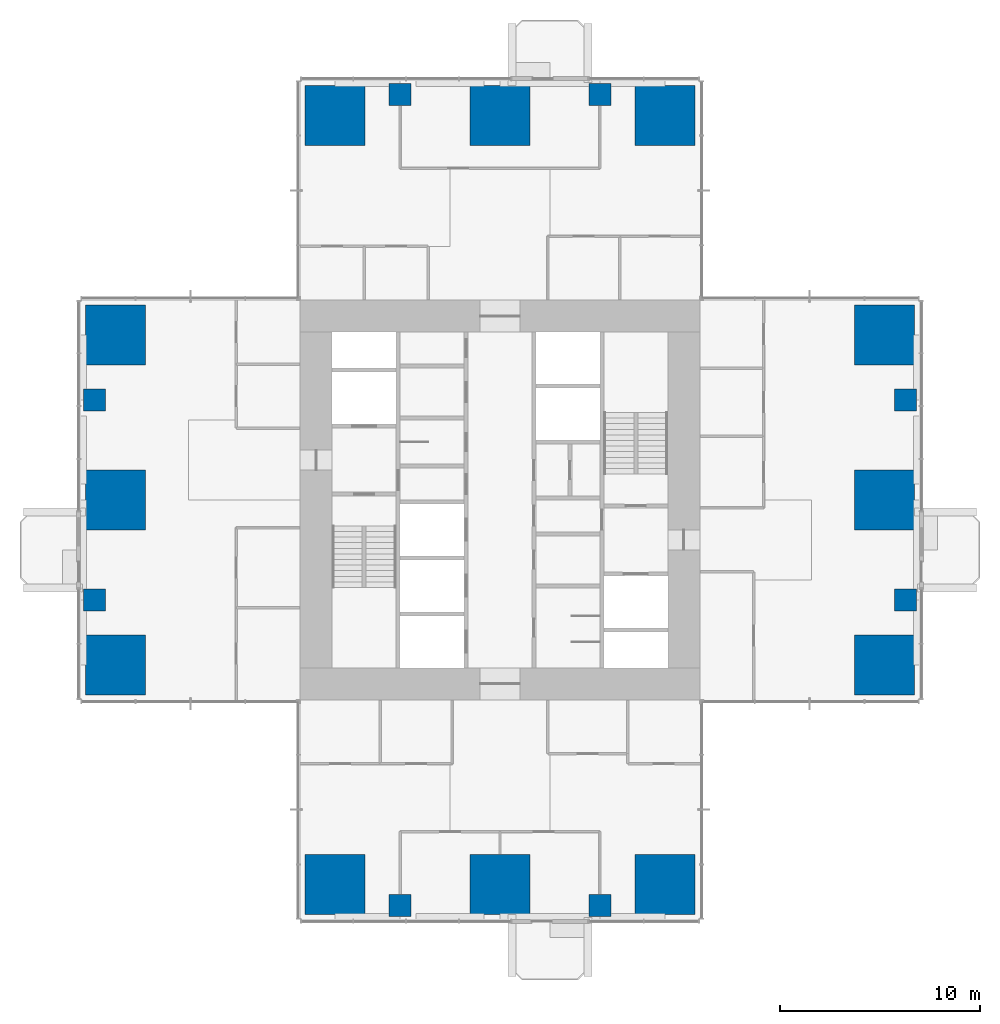
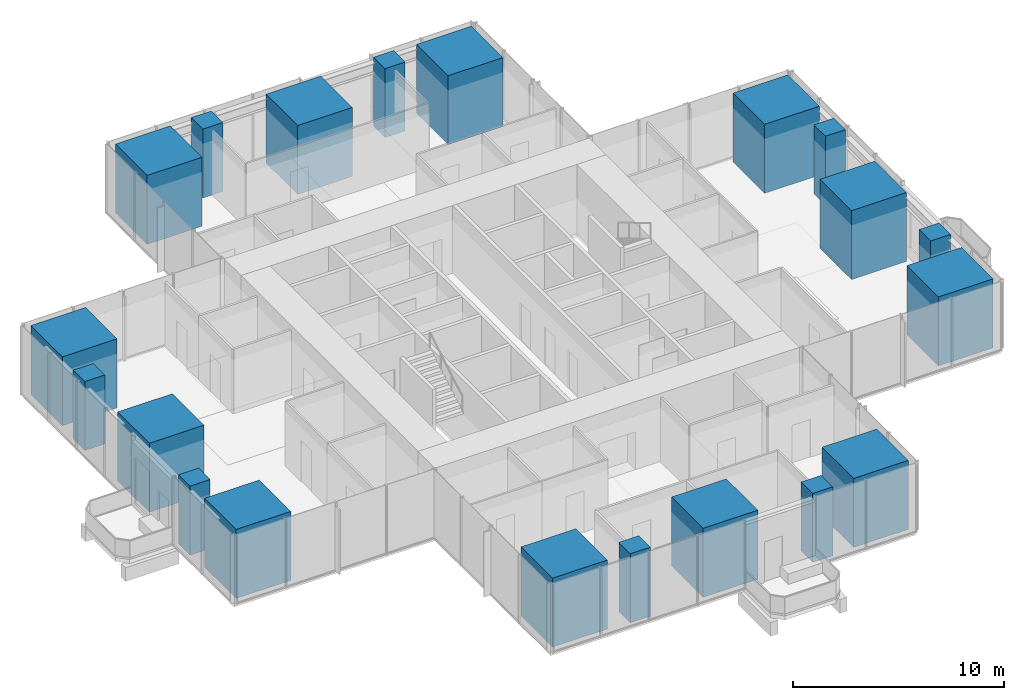
# One storey, part 1 of 13: 20 columns.
"""IFC4 building model written with IfcOpenShell, lengths in metres."""

import ifcopenshell
import ifcopenshell.guid

model = None  # the IFC model being written
_history = None  # IfcOwnerHistory: only IFC2X3 demands one
_inside = {}  # id of a spatial element -> (the spatial element, [elements in it])
_under = {}  # id of a project, library or spatial element -> (it, [spatial elements below it])
_declared = {}  # id of a project -> (the project, [libraries it declares])
_typed = {}  # id of a type object -> (the type object, [elements of that type])
_made_of = {}  # id of a material, layer set ... -> (it, [elements and type objects made of it])


def new_model(schema):
    """Start an empty IFC model of exactly this schema.

    Asked for "IFC4X3", IfcOpenShell would pick the latest addendum, in which some entities
    have other attributes; the version numbers below select the first issue.
    IFC2X3 requires an IfcOwnerHistory on every rooted entity: one is made here for all.
    """
    global model, _history
    if schema == "IFC4X3":
        model = ifcopenshell.file(schema_version=(4, 3, 0, 0))
    else:
        model = ifcopenshell.file(schema=schema)
    _inside.clear()
    _under.clear()
    _declared.clear()
    _typed.clear()
    _made_of.clear()
    _history = None
    if model.schema == "IFC2X3":
        org = make("IfcOrganization", Name="unknown")
        user = make(
            "IfcPersonAndOrganization",
            ThePerson=make("IfcPerson", FamilyName="unknown"),
            TheOrganization=org,
        )
        app = make(
            "IfcApplication",
            ApplicationDeveloper=org,
            Version="unknown",
            ApplicationFullName="unknown",
            ApplicationIdentifier="unknown",
        )
        _history = make(
            "IfcOwnerHistory",
            OwningUser=user,
            OwningApplication=app,
            ChangeAction="ADDED",
            CreationDate=0,
        )
    return model


def make(cls, **values):
    """One entity of the class cls with the attributes given. An attribute that is None is left unset."""
    return model.create_entity(
        cls, **{name: value for name, value in values.items() if value is not None}
    )


def rooted(cls, **values):
    """An entity with a GlobalId (a new one), such as an element, a storey or a relation."""
    return make(cls, GlobalId=ifcopenshell.guid.new(), OwnerHistory=_history, **values)


def si_unit(unit_type, name, prefix=None):
    """IfcSIUnit, for example si_unit("LENGTHUNIT", "METRE", prefix="MILLI")."""
    return make("IfcSIUnit", UnitType=unit_type, Prefix=prefix, Name=name)


def assignment(units):
    """IfcUnitAssignment: the units of a project."""
    return None if units is None else make("IfcUnitAssignment", Units=units)


def point(xyz):
    """IfcCartesianPoint."""
    return None if xyz is None else make("IfcCartesianPoint", Coordinates=xyz)


def direction(xyz):
    """IfcDirection."""
    return None if xyz is None else make("IfcDirection", DirectionRatios=xyz)


def frame(location, z_axis=None, x_axis=None):
    """IfcAxis2Placement3D, a coordinate frame: its origin and axes. An axis left out is left unset."""
    return make(
        "IfcAxis2Placement3D",
        Location=point(location),
        Axis=direction(z_axis),
        RefDirection=direction(x_axis),
    )


def frame_2d(location, x_axis=None):
    """IfcAxis2Placement2D, a coordinate frame in the plane: its origin and x axis."""
    return make(
        "IfcAxis2Placement2D", Location=point(location), RefDirection=direction(x_axis)
    )


def origin():
    """The frame at (0, 0, 0) with its axes left unset."""
    return frame((0.0, 0.0, 0.0))


def origin_2d():
    """The frame at (0, 0) in the plane with its x axis left unset."""
    return frame_2d((0.0, 0.0))


def place(relative_to, where):
    """IfcLocalPlacement: puts the frame where relative to a parent placement (None: the world)."""
    return make(
        "IfcLocalPlacement", PlacementRelTo=relative_to, RelativePlacement=where
    )


def context(
    kind, dimensions, precision=None, world=None, true_north=None, identifier=None
):
    """IfcGeometricRepresentationContext, for example the 3D "Model" context."""
    return make(
        "IfcGeometricRepresentationContext",
        ContextIdentifier=identifier,
        ContextType=kind,
        CoordinateSpaceDimension=dimensions,
        Precision=precision,
        WorldCoordinateSystem=world,
        TrueNorth=true_north,
    )


def subcontext(parent, identifier, kind, view, scale=None):
    """IfcGeometricRepresentationSubContext, for example "Body" below "Model"."""
    return make(
        "IfcGeometricRepresentationSubContext",
        ContextIdentifier=identifier,
        ContextType=kind,
        ParentContext=parent,
        TargetScale=scale,
        TargetView=view,
    )


def project(units=None, contexts=None):
    """IfcProject with its units and contexts."""
    return rooted(
        "IfcProject",
        Name="project",
        RepresentationContexts=contexts,
        UnitsInContext=assignment(units),
    )


def spatial(cls, under=None, at=None, **own):
    """A site, building, storey or space (cls), placed at a placement, below another one or the project."""
    s = rooted(cls, ObjectPlacement=at, **own)
    if under is not None:
        _under.setdefault(under.id(), (under, []))[1].append(s)
    return s


def profile(cls, at=None, kind="AREA", **sizes):
    """A parametric profile (cls). Its sizes go by their IFC names, for example OverallWidth=200.0."""
    return make(cls, ProfileType=kind, Position=at, **sizes)


def rectangle(**sizes):
    """IfcRectangleProfileDef."""
    return profile("IfcRectangleProfileDef", **sizes)


def extrude(swept, where, along, depth):
    """IfcExtrudedAreaSolid: the profile swept, set in the frame where, extruded along a direction by depth."""
    return make(
        "IfcExtrudedAreaSolid",
        SweptArea=swept,
        Position=where,
        ExtrudedDirection=direction(along),
        Depth=depth,
    )


def shape(context_of_items, identifier, shape_type, items):
    """IfcShapeRepresentation: the items that make up one representation, for example the "Body"."""
    return make(
        "IfcShapeRepresentation",
        ContextOfItems=context_of_items,
        RepresentationIdentifier=identifier,
        RepresentationType=shape_type,
        Items=items,
    )


def material(Name=None, Category=None):
    """IfcMaterial."""
    return make("IfcMaterial", Name=Name, Category=Category)


def material_profile(
    of_material, cross_section, Name=None, Category=None, Priority=None
):
    """IfcMaterialProfile: a cross section and its material."""
    return make(
        "IfcMaterialProfile",
        Name=Name,
        Material=of_material,
        Profile=cross_section,
        Priority=Priority,
        Category=Category,
    )


def profile_set(profiles, Name=None, composite=None):
    """IfcMaterialProfileSet."""
    return make(
        "IfcMaterialProfileSet",
        Name=Name,
        MaterialProfiles=profiles,
        CompositeProfile=composite,
    )


def made_of(thing, what):
    """Note that an element or type object is made of a material, layer set ...; save() writes the relation."""
    if what is not None:
        _made_of.setdefault(what.id(), (what, []))[1].append(thing)
    return thing


def type_object(cls, material=None, **own):
    """A type object (cls), such as IfcWallType, which elements share."""
    return made_of(rooted(cls, **own), material)


def element(
    cls,
    number,
    at=None,
    inside=None,
    cuts=None,
    type_object=None,
    material=None,
    context=None,
    identifier="Body",
    shape_type=None,
    held_by="IfcProductDefinitionShape",
    body=None,
    shapes=None,
    **own,
):
    """One element of the class cls, such as IfcWall. Its Tag is "e" and its number.

    at: its placement. inside: the storey or other place that contains it. cuts: it is an
    opening in that element (IfcRelVoidsElement). A single representation is given by context,
    identifier, shape_type and body (its items); several are given by shapes. held_by: the class
    of the entity that holds the representations. save() writes the other relations.
    """
    e = rooted(cls, Tag="e%d" % number, ObjectPlacement=at, **own)
    if body is not None:
        shapes = [shape(context, identifier, shape_type, body)]
    if shapes is not None:
        e.Representation = make(held_by, Representations=shapes)
    if inside is not None:
        _inside.setdefault(inside.id(), (inside, []))[1].append(e)
    if cuts is not None:
        rooted(
            "IfcRelVoidsElement", RelatingBuildingElement=cuts, RelatedOpeningElement=e
        )
    if type_object is not None:
        _typed.setdefault(type_object.id(), (type_object, []))[1].append(e)
    return made_of(e, material)


def aggregate(whole, parts):
    """IfcRelAggregates: a whole, such as a stair, and the parts it consists of."""
    return rooted("IfcRelAggregates", RelatingObject=whole, RelatedObjects=parts)


def save(model, path):
    """Write the relations noted so far, then the file.

    IfcRelAggregates (storeys below a building ...), IfcRelContainedInSpatialStructure (elements
    in a storey), IfcRelDefinesByType, IfcRelAssociatesMaterial and IfcRelDeclares: one each for
    every whole, place, type object, material and project.
    """
    for whole, parts in _under.values():
        aggregate(whole, parts)
    for where, things in _inside.values():
        rooted(
            "IfcRelContainedInSpatialStructure",
            RelatedElements=things,
            RelatingStructure=where,
        )
    for kind, things in _typed.values():
        rooted("IfcRelDefinesByType", RelatedObjects=things, RelatingType=kind)
    for what, things in _made_of.values():
        rooted("IfcRelAssociatesMaterial", RelatedObjects=things, RelatingMaterial=what)
    for by, libraries in _declared.values():
        rooted("IfcRelDeclares", RelatingContext=by, RelatedDefinitions=libraries)
    model.write(path)


model = new_model("IFC4")

# Units and contexts
model_context = context("Model", 3, precision=1e-05, world=origin(), true_north=direction((0.0, 1.0)))
body_context = subcontext(model_context, "Body", "Model", "MODEL_VIEW")
ifc_project = project(units=[si_unit("LENGTHUNIT", "METRE"), si_unit("AREAUNIT", "SQUARE_METRE"), si_unit("VOLUMEUNIT", "CUBIC_METRE"), si_unit("PLANEANGLEUNIT", "RADIAN"), si_unit("MASSUNIT", "GRAM", prefix="KILO")], contexts=[model_context])

# Site, building, storey
site_placement = place(None, origin())
site = spatial("IfcSite", under=ifc_project, at=site_placement, CompositionType="ELEMENT")
building_placement = place(site_placement, origin())
building = spatial("IfcBuilding", under=site, at=building_placement, Name="Svetlomir Tower", CompositionType="ELEMENT")
storey_placement = place(building_placement, frame((0.0, 0.0, 128.5)))
storey = spatial("IfcBuildingStorey", under=building, at=storey_placement, Name="L30", CompositionType="ELEMENT", Elevation=128.5)

# Columns
ifc_material_1 = material(Name="Concrete C60/75", Category="concrete")
ifc_material_profile_1 = material_profile(ifc_material_1, rectangle(XDim=1.10009765625, YDim=1.10009765625, at=origin_2d()), Name="RC 1100x1100")
ifc_profile_set_1 = profile_set([ifc_material_profile_1], Name="Concrete C60/75")
column_type_1 = type_object("IfcColumnType", Name="COLUMN RC 1100x1100", PredefinedType="COLUMN", material=ifc_profile_set_1)
for number, where, z_axis, x_axis, name in (
    (1, (16.0, 0.699951171875, 0.0), (0.0, 0.0, 1.0), (1.0, 0.0, 0.0), "Column 16/0 L30"),
    (2, (26.0, 0.699951171875, 0.0), (0.0, 0.0, 1.0), (1.0, 0.0, 0.0), "Column 26/0 L30"),
    (3, (0.699951171875, 16.0, 0.0), (0.0, 0.0, 1.0), (1.0, 0.0, 0.0), "Column 0/16 L30"),
    (4, (41.300048828125, 16.0, 0.0), (0.0, 0.0, 1.0), (1.0, 0.0, 0.0), "Column 42/16 L30"),
    (5, (0.699951171875, 26.0, 0.0), (0.0, 0.0, 1.0), (1.0, 0.0, 0.0), "Column 0/26 L30"),
    (6, (41.300048828125, 26.0, 0.0), (0.0, 0.0, 1.0), (1.0, 0.0, 0.0), "Column 42/26 L30"),
    (7, (16.0, 41.300048828125, 0.0), (0.0, 0.0, 1.0), (1.0, 0.0, 0.0), "Column 16/42 L30"),
    (8, (26.0, 41.300048828125, 0.0), (0.0, 0.0, 1.0), (1.0, 0.0, 0.0), "Column 26/42 L30"),
):
    element("IfcColumn", number, at=place(storey_placement, frame(where, z_axis=z_axis, x_axis=x_axis)), inside=storey, type_object=column_type_1, Name=name, PredefinedType="COLUMN", context=body_context, shape_type="SweptSolid", body=[
        extrude(rectangle(XDim=1.10009765625, YDim=1.10009765625, at=origin_2d()), origin(), (0.0, 0.0, 1.0), 4.0),
    ])
ifc_material_2 = material(Name="Concrete C60/75", Category="concrete")
ifc_material_profile_2 = material_profile(ifc_material_2, rectangle(XDim=3.0, YDim=3.0, at=origin_2d()), Name="RC 3000x3000")
ifc_profile_set_2 = profile_set([ifc_material_profile_2], Name="Concrete C60/75")
column_type_2 = type_object("IfcColumnType", Name="COLUMN RC 3000x3000", PredefinedType="COLUMN", material=ifc_profile_set_2)
for number, where, z_axis, x_axis, name in (
    (9, (12.75, 1.75, 0.0), (0.0, 0.0, 1.0), (1.0, 0.0, 0.0), "Column 11/0 L30"),
    (10, (21.0, 1.75, 0.0), (0.0, 0.0, 1.0), (1.0, 0.0, 0.0), "Column 21/0 L30"),
    (11, (29.25, 1.75, 0.0), (0.0, 0.0, 1.0), (1.0, 0.0, 0.0), "Column 31/0 L30"),
    (12, (1.75, 12.75, 0.0), (0.0, 0.0, 1.0), (1.0, 0.0, 0.0), "Column 0/11 L30"),
    (13, (40.25, 12.75, 0.0), (0.0, 0.0, 1.0), (1.0, 0.0, 0.0), "Column 42/11 L30"),
    (14, (1.75, 21.0, 0.0), (0.0, 0.0, 1.0), (1.0, 0.0, 0.0), "Column 0/21 L30"),
    (15, (40.25, 21.0, 0.0), (0.0, 0.0, 1.0), (1.0, 0.0, 0.0), "Column 42/21 L30"),
    (16, (1.75, 29.25, 0.0), (0.0, 0.0, 1.0), (1.0, 0.0, 0.0), "Column 0/31 L30"),
    (17, (40.25, 29.25, 0.0), (0.0, 0.0, 1.0), (1.0, 0.0, 0.0), "Column 42/31 L30"),
    (18, (12.75, 40.25, 0.0), (0.0, 0.0, 1.0), (1.0, 0.0, 0.0), "Column 11/42 L30"),
    (19, (21.0, 40.25, 0.0), (0.0, 0.0, 1.0), (1.0, 0.0, 0.0), "Column 21/42 L30"),
    (20, (29.25, 40.25, 0.0), (0.0, 0.0, 1.0), (1.0, 0.0, 0.0), "Column 31/42 L30"),
):
    element("IfcColumn", number, at=place(storey_placement, frame(where, z_axis=z_axis, x_axis=x_axis)), inside=storey, type_object=column_type_2, Name=name, PredefinedType="COLUMN", context=body_context, shape_type="SweptSolid", body=[
        extrude(rectangle(XDim=3.0, YDim=3.0, at=origin_2d()), origin(), (0.0, 0.0, 1.0), 4.0),
    ])

save(model, "model.ifc")
